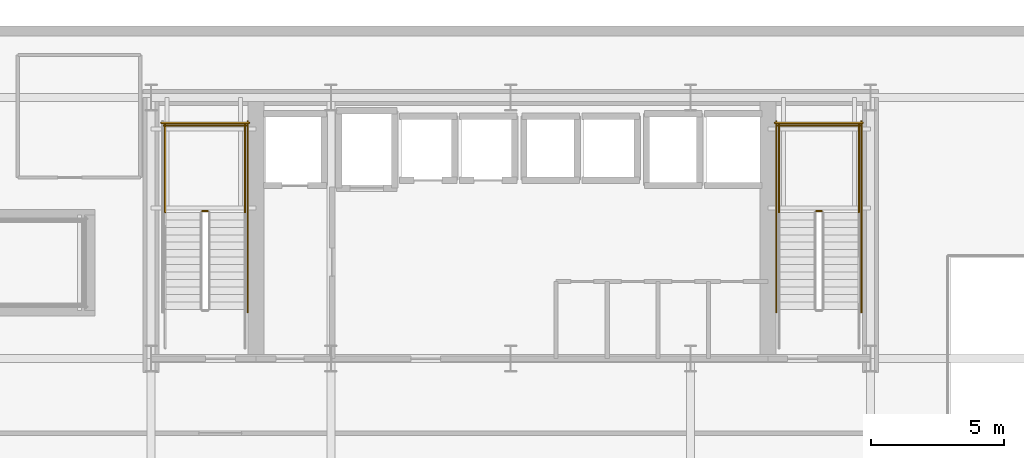
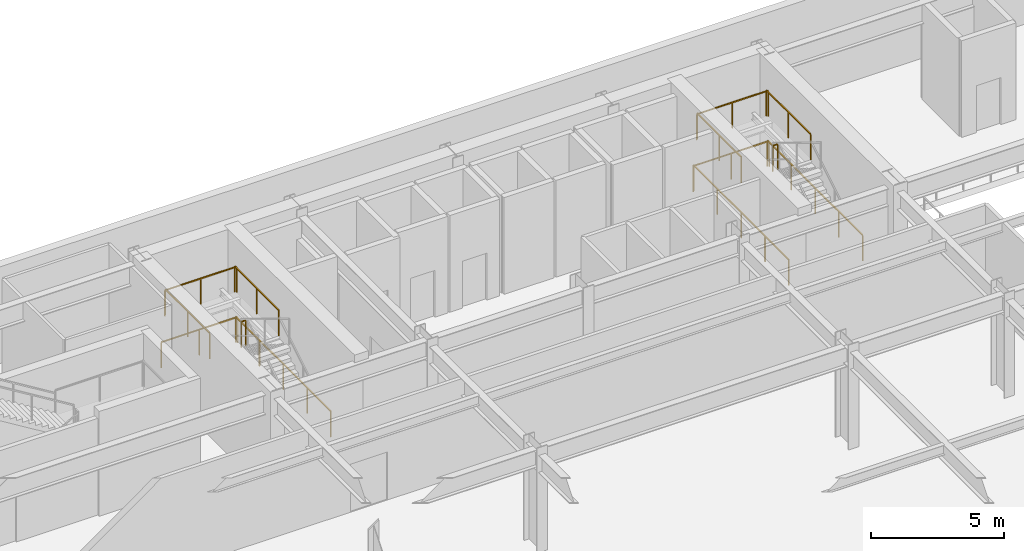
# One storey, part 29 of 35: 13 railings.
"""IFC4 building model written with IfcOpenShell, lengths in metres."""

from ifc_helpers import new_model, si_unit, direction, frame, origin, origin_2d, place, context, subcontext, project, spatial, rectangle, extrude, material, type_object, element, save


model = new_model("IFC4")

# Units and contexts
model_context = context("Model", 3, precision=1e-05, world=origin(), true_north=direction((0.0, 1.0)))
body_context = subcontext(model_context, "Body", "Model", "MODEL_VIEW")
ifc_project = project(units=[si_unit("LENGTHUNIT", "METRE"), si_unit("AREAUNIT", "SQUARE_METRE"), si_unit("VOLUMEUNIT", "CUBIC_METRE"), si_unit("PLANEANGLEUNIT", "RADIAN"), si_unit("MASSUNIT", "GRAM", prefix="KILO")], contexts=[model_context])

# Site, building, storey
site_placement = place(None, origin())
site = spatial("IfcSite", under=ifc_project, at=site_placement, CompositionType="ELEMENT")
building_placement = place(site_placement, origin())
building = spatial("IfcBuilding", under=site, at=building_placement, Name="Haevon Station Towers", CompositionType="ELEMENT")
storey_placement = place(building_placement, frame((0.0, 0.0, 20.39990234375)))
storey = spatial("IfcBuildingStorey", under=building, at=storey_placement, Name="L04", CompositionType="ELEMENT", Elevation=20.39990234375)

# Railings
ifc_material = material(Name="Steel S355", Category="steel")
railing_type = type_object("IfcRailingType", Name="GRD-STR1200", PredefinedType="GUARDRAIL", material=ifc_material)
railing_1_placement = place(storey_placement, frame((26.1298828125, 43.739990234375, 2.400146484375)))
element("IfcRailing", 1, at=railing_1_placement, inside=storey, type_object=railing_type, Name="L04 ST1 Stair Guard 2", PredefinedType="GUARDRAIL", context=body_context, shape_type="SweptSolid", body=[
    extrude(rectangle(XDim=0.048095703125, YDim=0.048095703125, at=origin_2d()), frame((0.0, 0.0, 1.17578125), z_axis=(-1.0, 0.0, 0.0), x_axis=(0.0, -1.0, 0.0)), (0.0, 0.0, 1.0), 0.199951171875),
    extrude(rectangle(XDim=0.0419921875, YDim=0.0419921875, at=origin_2d()), origin(), (0.0, 0.0, 1.0), 1.15185546875),
    extrude(rectangle(XDim=0.0419921875, YDim=0.0419921875, at=origin_2d()), frame((-0.199951171875, 0.0, 0.0)), (0.0, 0.0, 1.0), 1.15185546875),
])
for number, where, name in (
    (2, (27.530029296875, 43.68994140625, 2.400146484375), "L04 ST1 Stair Guard 3"),
    (3, (24.530029296875, 43.68994140625, 2.400146484375), "L04 ST1 Stair Guard 4"),
):
    element("IfcRailing", number, at=place(storey_placement, frame(where)), inside=storey, type_object=railing_type, Name=name, PredefinedType="GUARDRAIL", context=body_context, shape_type="SweptSolid", body=[
        extrude(rectangle(XDim=0.048095703125, YDim=0.048095703125, at=origin_2d()), frame((0.0, 0.0, 1.17578125), z_axis=(0.0, 1.0, 0.0), x_axis=(-1.0, 0.0, 0.0)), (0.0, 0.0, 1.0), 3.31005859375),
        extrude(rectangle(XDim=0.0419921875, YDim=0.0419921875, at=origin_2d()), origin(), (0.0, 0.0, 1.0), 1.15185546875),
        extrude(rectangle(XDim=0.0419921875, YDim=0.0419921875, at=origin_2d()), frame((0.0, 1.655029296875, 0.0)), (0.0, 0.0, 1.0), 1.15185546875),
        extrude(rectangle(XDim=0.0419921875, YDim=0.0419921875, at=origin_2d()), frame((0.0, 3.31005859375, 0.0)), (0.0, 0.0, 1.0), 1.15185546875),
    ])
railing_2_placement = place(storey_placement, frame((27.580078125, 46.949951171875, 2.400146484375)))
element("IfcRailing", 4, at=railing_2_placement, inside=storey, type_object=railing_type, Name="L04 ST1 Stair Guard 5", PredefinedType="GUARDRAIL", context=body_context, shape_type="SweptSolid", body=[
    extrude(rectangle(XDim=0.048095703125, YDim=0.048095703125, at=origin_2d()), frame((0.0, 0.0, 1.17578125), z_axis=(-1.0, 0.0, 0.0), x_axis=(0.0, -1.0, 0.0)), (0.0, 0.0, 1.0), 3.10009765625),
    extrude(rectangle(XDim=0.0419921875, YDim=0.0419921875, at=origin_2d()), origin(), (0.0, 0.0, 1.0), 1.15185546875),
    extrude(rectangle(XDim=0.0419921875, YDim=0.0419921875, at=origin_2d()), frame((-1.550048828125, 0.0, 0.0)), (0.0, 0.0, 1.0), 1.15185546875),
    extrude(rectangle(XDim=0.0419921875, YDim=0.0419921875, at=origin_2d()), frame((-3.10009765625, 0.0, 0.0)), (0.0, 0.0, 1.0), 1.15185546875),
])
railing_3_placement = place(storey_placement, frame((27.6298828125, 39.949951171875, 0.0)))
element("IfcRailing", 5, at=railing_3_placement, inside=storey, type_object=railing_type, Name="L04 ST1 Stair Guard 10", PredefinedType="GUARDRAIL", context=body_context, shape_type="SweptSolid", body=[
    extrude(rectangle(XDim=0.048095703125, YDim=0.048095703125, at=origin_2d()), frame((0.0, 0.0, 1.17578125), z_axis=(0.0, 1.0, 0.0), x_axis=(-1.0, 0.0, 0.0)), (0.0, 0.0, 1.0), 7.150146484375),
    extrude(rectangle(XDim=0.0419921875, YDim=0.0419921875, at=origin_2d()), origin(), (0.0, 0.0, 1.0), 1.15185546875),
    extrude(rectangle(XDim=0.0419921875, YDim=0.0419921875, at=origin_2d()), frame((0.0, 1.78759765625, 0.0)), (0.0, 0.0, 1.0), 1.15185546875),
    extrude(rectangle(XDim=0.0419921875, YDim=0.0419921875, at=origin_2d()), frame((0.0, 3.5751953125, 0.0)), (0.0, 0.0, 1.0), 1.15185546875),
    extrude(rectangle(XDim=0.0419921875, YDim=0.0419921875, at=origin_2d()), frame((0.0, 5.362548828125, 0.0)), (0.0, 0.0, 1.0), 1.15185546875),
    extrude(rectangle(XDim=0.0419921875, YDim=0.0419921875, at=origin_2d()), frame((0.0, 7.150146484375, 0.0)), (0.0, 0.0, 1.0), 1.15185546875),
])
railing_4_placement = place(storey_placement, frame((27.679931640625, 47.050048828125, 0.0)))
element("IfcRailing", 6, at=railing_4_placement, inside=storey, type_object=railing_type, Name="L04 ST1 Stair Guard 12", PredefinedType="GUARDRAIL", context=body_context, shape_type="SweptSolid", body=[
    extrude(rectangle(XDim=0.048095703125, YDim=0.048095703125, at=origin_2d()), frame((0.0, 0.0, 1.17578125), z_axis=(-1.0, 0.0, 0.0), x_axis=(0.0, -1.0, 0.0)), (0.0, 0.0, 1.0), 3.300048828125),
    extrude(rectangle(XDim=0.0419921875, YDim=0.0419921875, at=origin_2d()), origin(), (0.0, 0.0, 1.0), 1.15185546875),
    extrude(rectangle(XDim=0.0419921875, YDim=0.0419921875, at=origin_2d()), frame((-1.64990234375, 0.0, 0.0)), (0.0, 0.0, 1.0), 1.15185546875),
    extrude(rectangle(XDim=0.0419921875, YDim=0.0419921875, at=origin_2d()), frame((-3.300048828125, 0.0, 0.0)), (0.0, 0.0, 1.0), 1.15185546875),
])
railing_5_placement = place(storey_placement, frame((49.169921875, 43.739990234375, 2.400146484375)))
element("IfcRailing", 7, at=railing_5_placement, inside=storey, type_object=railing_type, Name="L04 ST2 Stair Guard 2", PredefinedType="GUARDRAIL", context=body_context, shape_type="SweptSolid", body=[
    extrude(rectangle(XDim=0.048095703125, YDim=0.048095703125, at=origin_2d()), frame((0.0, 0.0, 1.17578125), z_axis=(-1.0, 0.0, 0.0), x_axis=(0.0, -1.0, 0.0)), (0.0, 0.0, 1.0), 0.199951171875),
    extrude(rectangle(XDim=0.0419921875, YDim=0.0419921875, at=origin_2d()), origin(), (0.0, 0.0, 1.0), 1.15185546875),
    extrude(rectangle(XDim=0.0419921875, YDim=0.0419921875, at=origin_2d()), frame((-0.199951171875, 0.0, 0.0)), (0.0, 0.0, 1.0), 1.15185546875),
])
for number, where, name in (
    (8, (50.570068359375, 43.68994140625, 2.400146484375), "L04 ST2 Stair Guard 3"),
    (9, (47.570068359375, 43.68994140625, 2.400146484375), "L04 ST2 Stair Guard 4"),
):
    element("IfcRailing", number, at=place(storey_placement, frame(where)), inside=storey, type_object=railing_type, Name=name, PredefinedType="GUARDRAIL", context=body_context, shape_type="SweptSolid", body=[
        extrude(rectangle(XDim=0.048095703125, YDim=0.048095703125, at=origin_2d()), frame((0.0, 0.0, 1.17578125), z_axis=(0.0, 1.0, 0.0), x_axis=(-1.0, 0.0, 0.0)), (0.0, 0.0, 1.0), 3.31005859375),
        extrude(rectangle(XDim=0.0419921875, YDim=0.0419921875, at=origin_2d()), origin(), (0.0, 0.0, 1.0), 1.15185546875),
        extrude(rectangle(XDim=0.0419921875, YDim=0.0419921875, at=origin_2d()), frame((0.0, 1.655029296875, 0.0)), (0.0, 0.0, 1.0), 1.15185546875),
        extrude(rectangle(XDim=0.0419921875, YDim=0.0419921875, at=origin_2d()), frame((0.0, 3.31005859375, 0.0)), (0.0, 0.0, 1.0), 1.15185546875),
    ])
railing_6_placement = place(storey_placement, frame((50.6201171875, 46.949951171875, 2.400146484375)))
element("IfcRailing", 10, at=railing_6_placement, inside=storey, type_object=railing_type, Name="L04 ST2 Stair Guard 5", PredefinedType="GUARDRAIL", context=body_context, shape_type="SweptSolid", body=[
    extrude(rectangle(XDim=0.048095703125, YDim=0.048095703125, at=origin_2d()), frame((0.0, 0.0, 1.17578125), z_axis=(-1.0, 0.0, 0.0), x_axis=(0.0, -1.0, 0.0)), (0.0, 0.0, 1.0), 3.10009765625),
    extrude(rectangle(XDim=0.0419921875, YDim=0.0419921875, at=origin_2d()), origin(), (0.0, 0.0, 1.0), 1.15185546875),
    extrude(rectangle(XDim=0.0419921875, YDim=0.0419921875, at=origin_2d()), frame((-1.550048828125, 0.0, 0.0)), (0.0, 0.0, 1.0), 1.15185546875),
    extrude(rectangle(XDim=0.0419921875, YDim=0.0419921875, at=origin_2d()), frame((-3.10009765625, 0.0, 0.0)), (0.0, 0.0, 1.0), 1.15185546875),
])
for number, where, name in (
    (11, (50.669921875, 39.949951171875, 0.0), "L04 ST2 Stair Guard 10"),
    (12, (47.469970703125, 39.949951171875, 0.0), "L04 ST2 Stair Guard 11"),
):
    element("IfcRailing", number, at=place(storey_placement, frame(where)), inside=storey, type_object=railing_type, Name=name, PredefinedType="GUARDRAIL", context=body_context, shape_type="SweptSolid", body=[
        extrude(rectangle(XDim=0.048095703125, YDim=0.048095703125, at=origin_2d()), frame((0.0, 0.0, 1.17578125), z_axis=(0.0, 1.0, 0.0), x_axis=(-1.0, 0.0, 0.0)), (0.0, 0.0, 1.0), 7.150146484375),
        extrude(rectangle(XDim=0.0419921875, YDim=0.0419921875, at=origin_2d()), origin(), (0.0, 0.0, 1.0), 1.15185546875),
        extrude(rectangle(XDim=0.0419921875, YDim=0.0419921875, at=origin_2d()), frame((0.0, 1.78759765625, 0.0)), (0.0, 0.0, 1.0), 1.15185546875),
        extrude(rectangle(XDim=0.0419921875, YDim=0.0419921875, at=origin_2d()), frame((0.0, 3.5751953125, 0.0)), (0.0, 0.0, 1.0), 1.15185546875),
        extrude(rectangle(XDim=0.0419921875, YDim=0.0419921875, at=origin_2d()), frame((0.0, 5.362548828125, 0.0)), (0.0, 0.0, 1.0), 1.15185546875),
        extrude(rectangle(XDim=0.0419921875, YDim=0.0419921875, at=origin_2d()), frame((0.0, 7.150146484375, 0.0)), (0.0, 0.0, 1.0), 1.15185546875),
    ])
railing_7_placement = place(storey_placement, frame((50.719970703125, 47.050048828125, 0.0)))
element("IfcRailing", 13, at=railing_7_placement, inside=storey, type_object=railing_type, Name="L04 ST2 Stair Guard 12", PredefinedType="GUARDRAIL", context=body_context, shape_type="SweptSolid", body=[
    extrude(rectangle(XDim=0.048095703125, YDim=0.048095703125, at=origin_2d()), frame((0.0, 0.0, 1.17578125), z_axis=(-1.0, 0.0, 0.0), x_axis=(0.0, -1.0, 0.0)), (0.0, 0.0, 1.0), 3.300048828125),
    extrude(rectangle(XDim=0.0419921875, YDim=0.0419921875, at=origin_2d()), origin(), (0.0, 0.0, 1.0), 1.15185546875),
    extrude(rectangle(XDim=0.0419921875, YDim=0.0419921875, at=origin_2d()), frame((-1.64990234375, 0.0, 0.0)), (0.0, 0.0, 1.0), 1.15185546875),
    extrude(rectangle(XDim=0.0419921875, YDim=0.0419921875, at=origin_2d()), frame((-3.300048828125, 0.0, 0.0)), (0.0, 0.0, 1.0), 1.15185546875),
])

save(model, "model.ifc")
